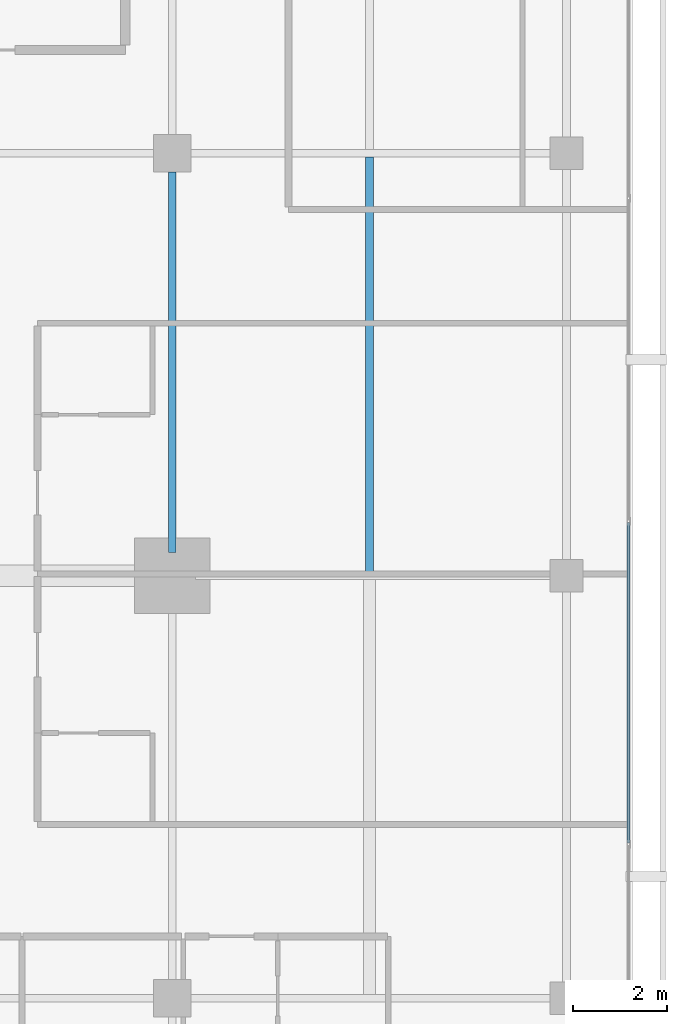
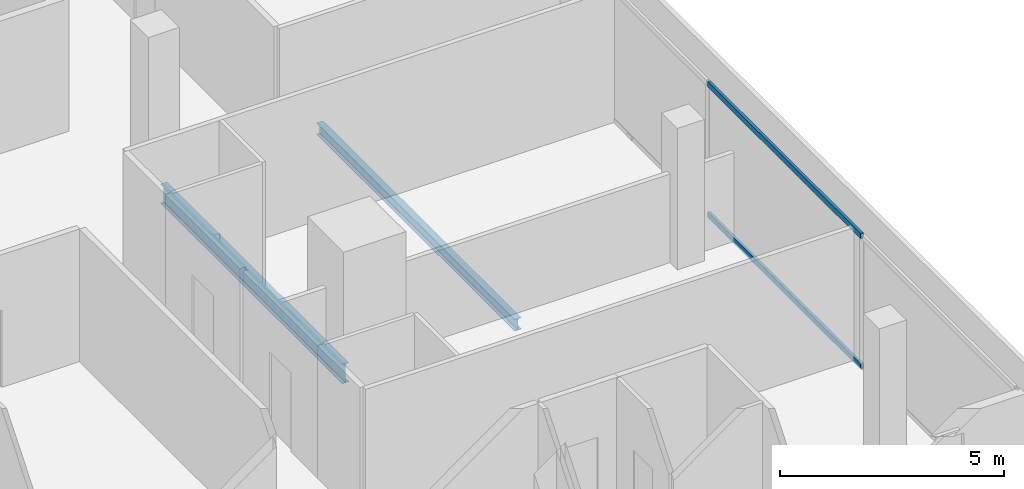
# One storey, part 13 of 25: 2 beams, 2 members, 1 element without a shape of its own.
"""IFC4 building model written with IfcOpenShell, lengths in metres."""

from ifc_helpers import new_model, si_unit, direction, frame, origin, origin_2d, place, context, subcontext, project, spatial, hollow_rectangle, i_section, extrude, material, layer, layer_set, material_profile, profile_set, type_object, element, aggregate, save


model = new_model("IFC4")

# Units and contexts
model_context = context("Model", 3, precision=1e-05, world=origin(), true_north=direction((0.0, 1.0)))
body_context = subcontext(model_context, "Body", "Model", "MODEL_VIEW")
ifc_project = project(units=[si_unit("LENGTHUNIT", "METRE"), si_unit("AREAUNIT", "SQUARE_METRE"), si_unit("VOLUMEUNIT", "CUBIC_METRE"), si_unit("PLANEANGLEUNIT", "RADIAN"), si_unit("MASSUNIT", "GRAM", prefix="KILO")], contexts=[model_context])

# Site, building, storey
site_placement = place(None, origin())
site = spatial("IfcSite", under=ifc_project, at=site_placement, CompositionType="ELEMENT")
building_placement = place(site_placement, origin())
building = spatial("IfcBuilding", under=site, at=building_placement, Name="Maruvema Waterfront Hotel and Observation Tower", CompositionType="ELEMENT")
storey_placement = place(building_placement, frame((0.0, 0.0, 308.699951171875)))
storey = spatial("IfcBuildingStorey", under=building, at=storey_placement, Name="L76", CompositionType="ELEMENT", Elevation=308.699951171875)

# Curtain wall, members
ifc_material_1 = material(Name="Anodised bronze aluminium and solar-control low-E IGU", Category="aluminium")
ifc_layer = layer(ifc_material_1, 0.159912109375, Name="Zone 3 Champagne Inner Thermal Curtain Wall System CW-04")
ifc_layer_set = layer_set([ifc_layer], Name="Anodised bronze aluminium and solar-control low-E IGU")
curtain_wall_type = type_object("IfcCurtainWallType", Name="Zone 3 Champagne Inner Thermal Curtain Wall System CW-04", PredefinedType="USERDEFINED", material=ifc_layer_set)
curtain_wall_placement = place(storey_placement, origin())
curtain_wall = element("IfcCurtainWall", 1, at=curtain_wall_placement, inside=storey, type_object=curtain_wall_type, Name="L76 Curtain Wall CW-L76-E", ObjectType="UNITISED CURTAIN WALL", PredefinedType="USERDEFINED")
ifc_material_2 = material(Name="Anodised architectural bronze aluminium", Category="aluminium")
ifc_material_profile_1 = material_profile(ifc_material_2, hollow_rectangle(XDim=0.070068359375, YDim=0.14990234375, WallThickness=0.00390625, at=origin_2d()), Name="ALU-T70x150")
ifc_profile_set_1 = profile_set([ifc_material_profile_1], Name="Anodised architectural bronze aluminium")
member_type = type_object("IfcMemberType", Name="Curtain Wall Horizontal Transom ALU-T70x150", PredefinedType="USERDEFINED", material=ifc_profile_set_1)
member_1_placement = place(storey_placement, frame((60.1201171875, 21.31005859375, 0.030029296875), z_axis=(0.0, 1.0, 0.0), x_axis=(-1.0, 0.0, 0.0)))
member_1 = element("IfcMember", 2, at=member_1_placement, type_object=member_type, Name="CW-04 transom 2.1", ObjectType="TRANSOM", PredefinedType="USERDEFINED", context=body_context, shape_type="SweptSolid", body=[
    extrude(hollow_rectangle(XDim=0.070068359375, YDim=0.14990234375, WallThickness=0.00390625, at=origin_2d()), origin(), (0.0, 0.0, 1.0), 6.81982421875),
])
member_2_placement = place(storey_placement, frame((60.1201171875, 21.31005859375, 3.580078125), z_axis=(0.0, 1.0, 0.0), x_axis=(-1.0, 0.0, 0.0)))
member_2 = element("IfcMember", 3, at=member_2_placement, type_object=member_type, Name="CW-04 transom 2.2", ObjectType="TRANSOM", PredefinedType="USERDEFINED", context=body_context, shape_type="SweptSolid", body=[
    extrude(hollow_rectangle(XDim=0.070068359375, YDim=0.14990234375, WallThickness=0.00390625, at=origin_2d()), origin(), (0.0, 0.0, 1.0), 6.81982421875),
])
aggregate(curtain_wall, [member_1, member_2])

# Beams
ifc_material_3 = material(Name="Steel ASTM A572 Grade 50", Category="steel")
ifc_material_profile_2 = material_profile(ifc_material_3, i_section(OverallWidth=0.166015625, OverallDepth=0.529052734375, WebThickness=0.009765625, FlangeThickness=0.013671875, FilletRadius=0.014892578125, at=origin_2d()), Name="W530x74.0")
ifc_profile_set_2 = profile_set([ifc_material_profile_2], Name="Steel ASTM A572 Grade 50")
beam_type_1 = type_object("IfcBeamType", Name="Primary Floor Girder W530x74.0", PredefinedType="BEAM", material=ifc_profile_set_2)
beam_1_placement = place(storey_placement, frame((50.39990234375, 27.5, -0.50439453125), z_axis=(0.0, 1.0, 0.0), x_axis=(-1.0, 0.0, 0.0)))
element("IfcBeam", 4, at=beam_1_placement, inside=storey, type_object=beam_type_1, Name="L76 Floor Girder NS-14", PredefinedType="BEAM", context=body_context, shape_type="SweptSolid", body=[
    extrude(i_section(OverallWidth=0.166015625, OverallDepth=0.529052734375, WebThickness=0.009765625, FlangeThickness=0.013671875, FilletRadius=0.014892578125, at=origin_2d()), origin(), (0.0, 0.0, 1.0), 8.10009765625),
])
ifc_material_4 = material(Name="Steel ASTM A572 Grade 50", Category="steel")
ifc_material_profile_3 = material_profile(ifc_material_4, i_section(OverallWidth=0.1669921875, OverallDepth=0.31689453125, WebThickness=0.007568359375, FlangeThickness=0.01318359375, FilletRadius=0.012939453125, at=origin_2d()), Name="W310x52.0")
ifc_profile_set_3 = profile_set([ifc_material_profile_3], Name="Steel ASTM A572 Grade 50")
beam_type_2 = type_object("IfcBeamType", Name="Secondary Floor Joist W310x52.0", PredefinedType="JOIST", material=ifc_profile_set_3)
beam_2_placement = place(storey_placement, frame((54.60009765625, 27.0830078125, -0.3984375), z_axis=(0.0, 1.0, 0.0), x_axis=(-1.0, 0.0, 0.0)))
element("IfcBeam", 5, at=beam_2_placement, inside=storey, type_object=beam_type_2, Name="L76 Secondary Floor Joist JS-08", PredefinedType="JOIST", context=body_context, shape_type="SweptSolid", body=[
    extrude(i_section(OverallWidth=0.1669921875, OverallDepth=0.31689453125, WebThickness=0.007568359375, FlangeThickness=0.01318359375, FilletRadius=0.012939453125, at=origin_2d()), origin(), (0.0, 0.0, 1.0), 8.833984375),
])

save(model, "model.ifc")
